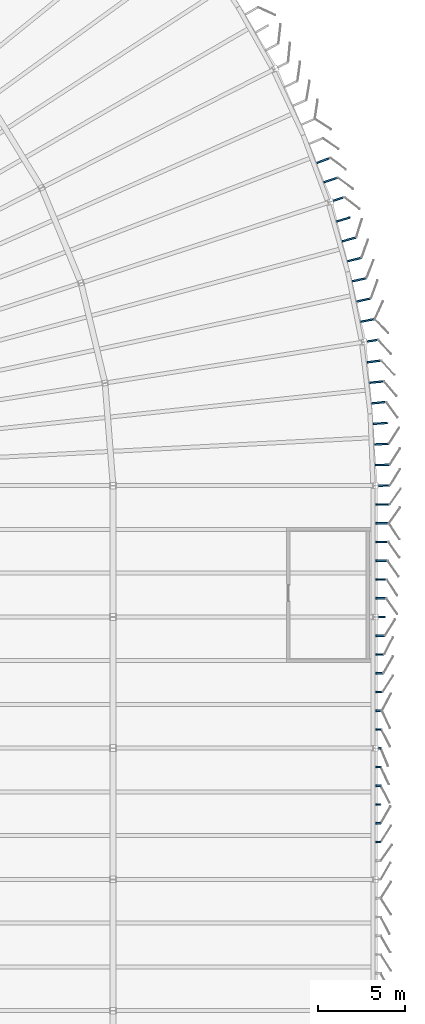
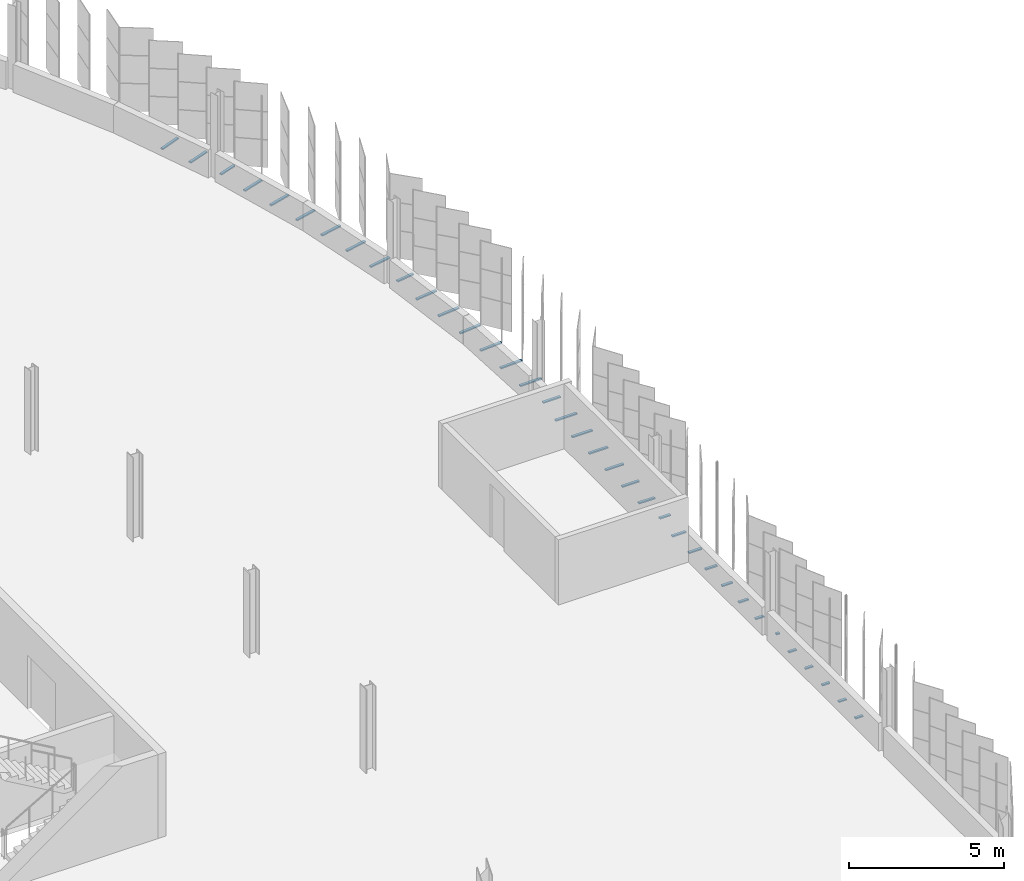
# One storey, part 173 of 199: 36 discrete accessories.
"""IFC4 building model written with IfcOpenShell, lengths in metres."""

from ifc_helpers import new_model, si_unit, direction, frame, origin, origin_2d, place, context, subcontext, project, spatial, rectangle, extrude, material, type_object, element, save


model = new_model("IFC4")

# Units and contexts
model_context = context("Model", 3, precision=1e-05, world=origin(), true_north=direction((0.0, 1.0)))
body_context = subcontext(model_context, "Body", "Model", "MODEL_VIEW")
ifc_project = project(units=[si_unit("LENGTHUNIT", "METRE"), si_unit("AREAUNIT", "SQUARE_METRE"), si_unit("VOLUMEUNIT", "CUBIC_METRE"), si_unit("PLANEANGLEUNIT", "RADIAN"), si_unit("MASSUNIT", "GRAM", prefix="KILO")], contexts=[model_context])

# Site, building, storey
site_placement = place(None, origin())
site = spatial("IfcSite", under=ifc_project, at=site_placement, CompositionType="ELEMENT")
building_placement = place(site_placement, origin())
building = spatial("IfcBuilding", under=site, at=building_placement, Name="Parallax Yard Mobility Hub", CompositionType="ELEMENT")
storey_placement = place(building_placement, frame((0.0, 0.0, 9.89990234375)))
storey = spatial("IfcBuildingStorey", under=building, at=storey_placement, Name="L03", CompositionType="ELEMENT", Elevation=9.89990234375)

# Discrete accessories
ifc_material = material(Name="Steel ASTM A36, hot-dip galvanised", Category="steel")
discrete_accessory_type = type_object("IfcDiscreteAccessoryType", Name="Hinge bracket plate 100x50", PredefinedType="BRACKET", material=ifc_material)
for number, where, z_axis, x_axis, name in (
    (1, (225.1416015625, 69.639404296875, -0.02490234375), (0.0, 0.0, 1.0), (1.0, 0.0, 0.0), "Hinge bracket plate bay 38.3 level L03"),
    (2, (225.1416015625, 70.711181640625, -0.02490234375), (0.0, 0.0, 1.0), (1.0, 0.0, 0.0), "Hinge bracket plate bay 38.4 level L03"),
    (3, (225.1416015625, 71.782958984375, -0.02490234375), (0.0, 0.0, 1.0), (1.0, 0.0, 0.0), "Hinge bracket plate bay 38.5 level L03"),
    (4, (225.1416015625, 72.854736328125, -0.02490234375), (0.0, 0.0, 1.0), (1.0, 0.0, 0.0), "Hinge bracket plate bay 38.6 level L03"),
    (5, (225.1416015625, 73.926513671875, -0.02490234375), (0.0, 0.0, 1.0), (1.0, 0.0, 0.0), "Hinge bracket plate bay 38.7 level L03"),
):
    element("IfcDiscreteAccessory", number, at=place(storey_placement, frame(where, z_axis=z_axis, x_axis=x_axis)), inside=storey, type_object=discrete_accessory_type, Name=name, PredefinedType="BRACKET", context=body_context, shape_type="SweptSolid", body=[
        extrude(rectangle(XDim=0.2841796875, YDim=0.10009765625, at=origin_2d()), origin(), (0.0, 0.0, 1.0), 0.050048828125),
    ])
discrete_accessory_1_placement = place(storey_placement, frame((225.21826171875, 74.998291015625, -0.02490234375), z_axis=(0.0, 0.0, 1.0), x_axis=(1.0, 0.0, 0.0)))
element("IfcDiscreteAccessory", 6, at=discrete_accessory_1_placement, inside=storey, type_object=discrete_accessory_type, Name="Hinge bracket plate bay 39.1 level L03", PredefinedType="BRACKET", context=body_context, shape_type="SweptSolid", body=[
    extrude(rectangle(XDim=0.130615234375, YDim=0.10009765625, at=origin_2d()), origin(), (0.0, 0.0, 1.0), 0.050048828125),
])
discrete_accessory_2_placement = place(storey_placement, frame((225.156982421875, 76.06982421875, -0.02490234375), z_axis=(0.0, 0.0, 1.0), x_axis=(1.0, 0.0, 0.0)))
element("IfcDiscreteAccessory", 7, at=discrete_accessory_2_placement, inside=storey, type_object=discrete_accessory_type, Name="Hinge bracket plate bay 39.2 level L03", PredefinedType="BRACKET", context=body_context, shape_type="SweptSolid", body=[
    extrude(rectangle(XDim=0.31494140625, YDim=0.10009765625, at=origin_2d()), origin(), (0.0, 0.0, 1.0), 0.050048828125),
])
discrete_accessory_3_placement = place(storey_placement, frame((225.177001953125, 77.1416015625, -0.02490234375), z_axis=(0.0, 0.0, 1.0), x_axis=(1.0, 0.0, 0.0)))
element("IfcDiscreteAccessory", 8, at=discrete_accessory_3_placement, inside=storey, type_object=discrete_accessory_type, Name="Hinge bracket plate bay 39.3 level L03", PredefinedType="BRACKET", context=body_context, shape_type="SweptSolid", body=[
    extrude(rectangle(XDim=0.35498046875, YDim=0.10009765625, at=origin_2d()), origin(), (0.0, 0.0, 1.0), 0.050048828125),
])
discrete_accessory_4_placement = place(storey_placement, frame((225.197021484375, 78.21337890625, -0.02490234375), z_axis=(0.0, 0.0, 1.0), x_axis=(1.0, 0.0, 0.0)))
element("IfcDiscreteAccessory", 9, at=discrete_accessory_4_placement, inside=storey, type_object=discrete_accessory_type, Name="Hinge bracket plate bay 39.4 level L03", PredefinedType="BRACKET", context=body_context, shape_type="SweptSolid", body=[
    extrude(rectangle(XDim=0.39501953125, YDim=0.10009765625, at=origin_2d()), origin(), (0.0, 0.0, 1.0), 0.050048828125),
])
discrete_accessory_5_placement = place(storey_placement, frame((225.217041015625, 79.28515625, -0.02490234375), z_axis=(0.0, 0.0, 1.0), x_axis=(1.0, 0.0, 0.0)))
element("IfcDiscreteAccessory", 10, at=discrete_accessory_5_placement, inside=storey, type_object=discrete_accessory_type, Name="Hinge bracket plate bay 39.5 level L03", PredefinedType="BRACKET", context=body_context, shape_type="SweptSolid", body=[
    extrude(rectangle(XDim=0.435302734375, YDim=0.10009765625, at=origin_2d()), origin(), (0.0, 0.0, 1.0), 0.050048828125),
])
discrete_accessory_6_placement = place(storey_placement, frame((225.237060546875, 80.356689453125, -0.02490234375), z_axis=(0.0, 0.0, 1.0), x_axis=(1.0, 0.0, 0.0)))
element("IfcDiscreteAccessory", 11, at=discrete_accessory_6_placement, inside=storey, type_object=discrete_accessory_type, Name="Hinge bracket plate bay 39.6 level L03", PredefinedType="BRACKET", context=body_context, shape_type="SweptSolid", body=[
    extrude(rectangle(XDim=0.47509765625, YDim=0.10009765625, at=origin_2d()), origin(), (0.0, 0.0, 1.0), 0.050048828125),
])
discrete_accessory_7_placement = place(storey_placement, frame((225.257080078125, 81.4287109375, -0.02490234375), z_axis=(0.0, 0.0, 1.0), x_axis=(1.0, 0.0, 0.0)))
element("IfcDiscreteAccessory", 12, at=discrete_accessory_7_placement, inside=storey, type_object=discrete_accessory_type, Name="Hinge bracket plate bay 39.7 level L03", PredefinedType="BRACKET", context=body_context, shape_type="SweptSolid", body=[
    extrude(rectangle(XDim=0.515380859375, YDim=0.10009765625, at=origin_2d()), origin(), (0.0, 0.0, 1.0), 0.050048828125),
])
discrete_accessory_8_placement = place(storey_placement, frame((225.35400390625, 82.500244140625, -0.02490234375), z_axis=(0.0, 0.0, 1.0), x_axis=(1.0, 0.0, 0.0)))
element("IfcDiscreteAccessory", 13, at=discrete_accessory_8_placement, inside=storey, type_object=discrete_accessory_type, Name="Hinge bracket plate bay 40.1 level L03", PredefinedType="BRACKET", context=body_context, shape_type="SweptSolid", body=[
    extrude(rectangle(XDim=0.40185546875, YDim=0.10009765625, at=origin_2d()), origin(), (0.0, 0.0, 1.0), 0.050048828125),
])
discrete_accessory_9_placement = place(storey_placement, frame((225.29736328125, 83.572021484375, -0.02490234375), z_axis=(0.0, 0.0, 1.0), x_axis=(1.0, 0.0, 0.0)))
element("IfcDiscreteAccessory", 14, at=discrete_accessory_9_placement, inside=storey, type_object=discrete_accessory_type, Name="Hinge bracket plate bay 40.2 level L03", PredefinedType="BRACKET", context=body_context, shape_type="SweptSolid", body=[
    extrude(rectangle(XDim=0.595458984375, YDim=0.10009765625, at=origin_2d()), origin(), (0.0, 0.0, 1.0), 0.050048828125),
])
discrete_accessory_10_placement = place(storey_placement, frame((225.3173828125, 84.643798828125, -0.02490234375), z_axis=(0.0, 0.0, 1.0), x_axis=(1.0, 0.0, 0.0)))
element("IfcDiscreteAccessory", 15, at=discrete_accessory_10_placement, inside=storey, type_object=discrete_accessory_type, Name="Hinge bracket plate bay 40.3 level L03", PredefinedType="BRACKET", context=body_context, shape_type="SweptSolid", body=[
    extrude(rectangle(XDim=0.635498046875, YDim=0.10009765625, at=origin_2d()), origin(), (0.0, 0.0, 1.0), 0.050048828125),
])
discrete_accessory_11_placement = place(storey_placement, frame((225.33740234375, 85.715576171875, -0.02490234375), z_axis=(0.0, 0.0, 1.0), x_axis=(1.0, 0.0, 0.0)))
element("IfcDiscreteAccessory", 16, at=discrete_accessory_11_placement, inside=storey, type_object=discrete_accessory_type, Name="Hinge bracket plate bay 40.4 level L03", PredefinedType="BRACKET", context=body_context, shape_type="SweptSolid", body=[
    extrude(rectangle(XDim=0.67578125, YDim=0.10009765625, at=origin_2d()), origin(), (0.0, 0.0, 1.0), 0.050048828125),
])
discrete_accessory_12_placement = place(storey_placement, frame((225.357421875, 86.787109375, -0.02490234375), z_axis=(0.0, 0.0, 1.0), x_axis=(1.0, 0.0, 0.0)))
element("IfcDiscreteAccessory", 17, at=discrete_accessory_12_placement, inside=storey, type_object=discrete_accessory_type, Name="Hinge bracket plate bay 40.5 level L03", PredefinedType="BRACKET", context=body_context, shape_type="SweptSolid", body=[
    extrude(rectangle(XDim=0.7158203125, YDim=0.10009765625, at=origin_2d()), origin(), (0.0, 0.0, 1.0), 0.050048828125),
])
discrete_accessory_13_placement = place(storey_placement, frame((225.37744140625, 87.85888671875, -0.02490234375), z_axis=(0.0, 0.0, 1.0), x_axis=(1.0, 0.0, 0.0)))
element("IfcDiscreteAccessory", 18, at=discrete_accessory_13_placement, inside=storey, type_object=discrete_accessory_type, Name="Hinge bracket plate bay 40.6 level L03", PredefinedType="BRACKET", context=body_context, shape_type="SweptSolid", body=[
    extrude(rectangle(XDim=0.755859375, YDim=0.10009765625, at=origin_2d()), origin(), (0.0, 0.0, 1.0), 0.050048828125),
])
discrete_accessory_14_placement = place(storey_placement, frame((225.3974609375, 88.9306640625, -0.02490234375), z_axis=(0.0, 0.0, 1.0), x_axis=(1.0, 0.0, 0.0)))
element("IfcDiscreteAccessory", 19, at=discrete_accessory_14_placement, inside=storey, type_object=discrete_accessory_type, Name="Hinge bracket plate bay 40.7 level L03", PredefinedType="BRACKET", context=body_context, shape_type="SweptSolid", body=[
    extrude(rectangle(XDim=0.7958984375, YDim=0.10009765625, at=origin_2d()), origin(), (0.0, 0.0, 1.0), 0.050048828125),
])
discrete_accessory_15_placement = place(storey_placement, frame((225.481201171875, 90.0048828125, -0.02490234375), z_axis=(0.0, 0.0, 1.0), x_axis=(0.999898038478, 0.01427979859, 0.0)))
element("IfcDiscreteAccessory", 20, at=discrete_accessory_15_placement, inside=storey, type_object=discrete_accessory_type, Name="Hinge bracket plate bay 41.1 level L03", PredefinedType="BRACKET", context=body_context, shape_type="SweptSolid", body=[
    extrude(rectangle(XDim=0.65234375, YDim=0.10009765625, at=origin_2d()), origin(), (0.0, 0.0, 1.0), 0.050048828125),
])
for number, where, z_axis, x_axis, name in (
    (21, (225.38671875, 91.188232421875, -0.02490234375), (0.0, 0.0, 1.0), (0.999898038478, 0.01427979859, 0.0), "Hinge bracket plate bay 41.2 level L03"),
    (22, (225.344970703125, 92.374755859375, -0.02490234375), (0.0, 0.0, 1.0), (0.999082545799, 0.042826004716, 0.0), "Hinge bracket plate bay 41.3 level L03"),
    (23, (225.278564453125, 93.560302734375, -0.02490234375), (0.0, 0.0, 1.0), (0.997452125929, 0.071339024937, 0.0), "Hinge bracket plate bay 41.4 level L03"),
    (24, (225.187744140625, 94.743896484375, -0.02490234375), (0.0, 0.0, 1.0), (0.995008133644, 0.099793857441, 0.0), "Hinge bracket plate bay 41.5 level L03"),
    (25, (225.069580078125, 95.922607421875, -0.02490234375), (0.0, 0.0, 1.0), (0.995008133644, 0.099793857441, 0.0), "Hinge bracket plate bay 41.6 level L03"),
    (26, (224.92041015625, 97.100341796875, -0.02490234375), (0.0, 0.0, 1.0), (0.991752786078, 0.12816556209, 0.0), "Hinge bracket plate bay 41.7 level L03"),
):
    element("IfcDiscreteAccessory", number, at=place(storey_placement, frame(where, z_axis=z_axis, x_axis=x_axis)), inside=storey, type_object=discrete_accessory_type, Name=name, PredefinedType="BRACKET", context=body_context, shape_type="SweptSolid", body=[
        extrude(rectangle(XDim=0.80810546875, YDim=0.10009765625, at=origin_2d()), origin(), (0.0, 0.0, 1.0), 0.050048828125),
    ])
discrete_accessory_16_placement = place(storey_placement, frame((224.82275390625, 98.287109375, -0.02490234375), z_axis=(0.0, 0.0, 1.0), x_axis=(0.987688340595, 0.15643446504, 0.0)))
element("IfcDiscreteAccessory", 27, at=discrete_accessory_16_placement, inside=storey, type_object=discrete_accessory_type, Name="Hinge bracket plate bay 42.1 level L03", PredefinedType="BRACKET", context=body_context, shape_type="SweptSolid", body=[
    extrude(rectangle(XDim=0.654541015625, YDim=0.10009765625, at=origin_2d()), origin(), (0.0, 0.0, 1.0), 0.050048828125),
])
for number, where, z_axis, x_axis, name in (
    (28, (224.548828125, 99.446044921875, -0.02490234375), (0.0, 0.0, 1.0), (0.982818286533, 0.184575772126, 0.0), "Hinge bracket plate bay 42.2 level L03"),
    (29, (224.32666015625, 100.61279296875, -0.02490234375), (0.0, 0.0, 1.0), (0.977146967152, 0.212564824432, 0.0), "Hinge bracket plate bay 42.3 level L03"),
    (30, (224.07470703125, 101.770751953125, -0.02490234375), (0.0, 0.0, 1.0), (0.977146967152, 0.212564824432, 0.0), "Hinge bracket plate bay 42.4 level L03"),
    (31, (223.795166015625, 102.925048828125, -0.02490234375), (0.0, 0.0, 1.0), (0.970678315125, 0.240382213455, 0.0), "Hinge bracket plate bay 42.5 level L03"),
    (32, (223.49169921875, 104.073486328125, -0.02490234375), (0.0, 0.0, 1.0), (0.963417928757, 0.268003534583, 0.0), "Hinge bracket plate bay 42.6 level L03"),
    (33, (223.16455078125, 105.215087890625, -0.02490234375), (0.0, 0.0, 1.0), (0.955372245566, 0.295404591031, 0.0), "Hinge bracket plate bay 42.7 level L03"),
):
    element("IfcDiscreteAccessory", number, at=place(storey_placement, frame(where, z_axis=z_axis, x_axis=x_axis)), inside=storey, type_object=discrete_accessory_type, Name=name, PredefinedType="BRACKET", context=body_context, shape_type="SweptSolid", body=[
        extrude(rectangle(XDim=0.80810546875, YDim=0.10009765625, at=origin_2d()), origin(), (0.0, 0.0, 1.0), 0.050048828125),
    ])
discrete_accessory_17_placement = place(storey_placement, frame((222.88720703125, 106.375, -0.02490234375), z_axis=(0.0, 0.0, 1.0), x_axis=(0.946546844685, 0.322566382032, 0.0)))
element("IfcDiscreteAccessory", 34, at=discrete_accessory_17_placement, inside=storey, type_object=discrete_accessory_type, Name="Hinge bracket plate bay 43.1 level L03", PredefinedType="BRACKET", context=body_context, shape_type="SweptSolid", body=[
    extrude(rectangle(XDim=0.65234375, YDim=0.10009765625, at=origin_2d()), origin(), (0.0, 0.0, 1.0), 0.050048828125),
])
for number, where, z_axis, x_axis, name in (
    (35, (222.431396484375, 107.47119140625, -0.02490234375), (0.0, 0.0, 1.0), (0.946546844685, 0.322566382032, 0.0), "Hinge bracket plate bay 43.2 level L03"),
    (36, (222.025146484375, 108.58740234375, -0.02490234375), (0.0, 0.0, 1.0), (0.93695000224, 0.349463436287, 0.0), "Hinge bracket plate bay 43.3 level L03"),
):
    element("IfcDiscreteAccessory", number, at=place(storey_placement, frame(where, z_axis=z_axis, x_axis=x_axis)), inside=storey, type_object=discrete_accessory_type, Name=name, PredefinedType="BRACKET", context=body_context, shape_type="SweptSolid", body=[
        extrude(rectangle(XDim=0.80810546875, YDim=0.10009765625, at=origin_2d()), origin(), (0.0, 0.0, 1.0), 0.050048828125),
    ])

save(model, "model.ifc")
